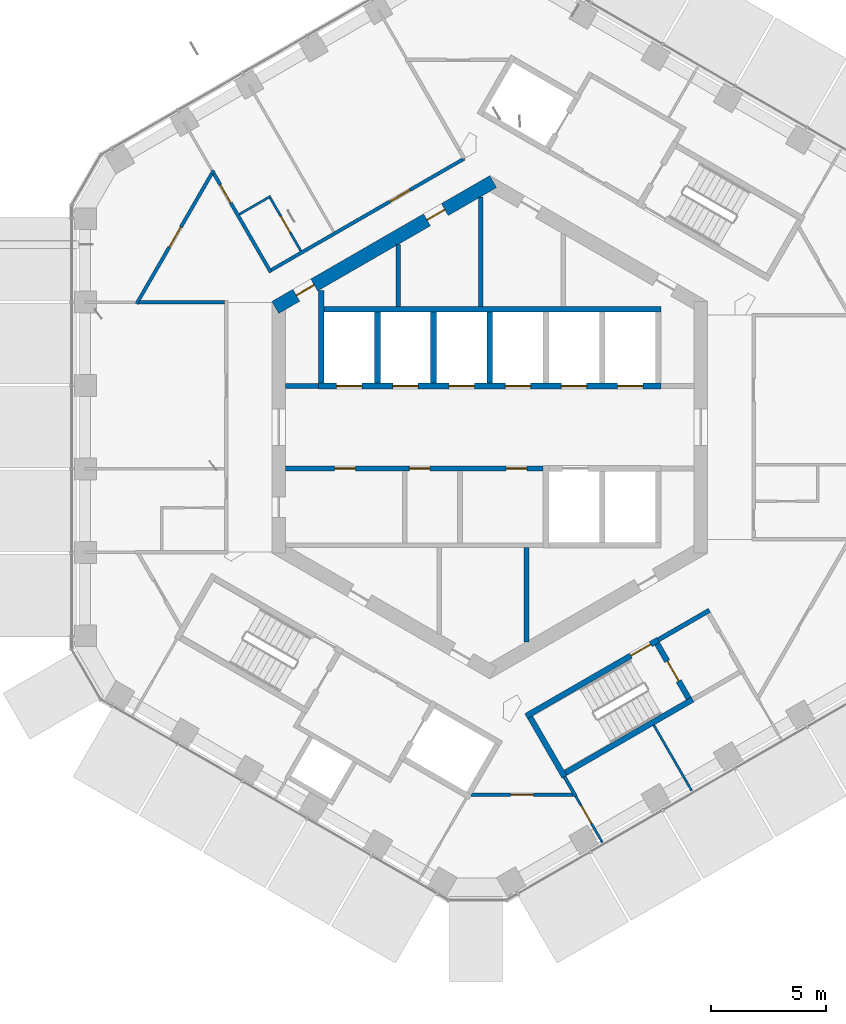
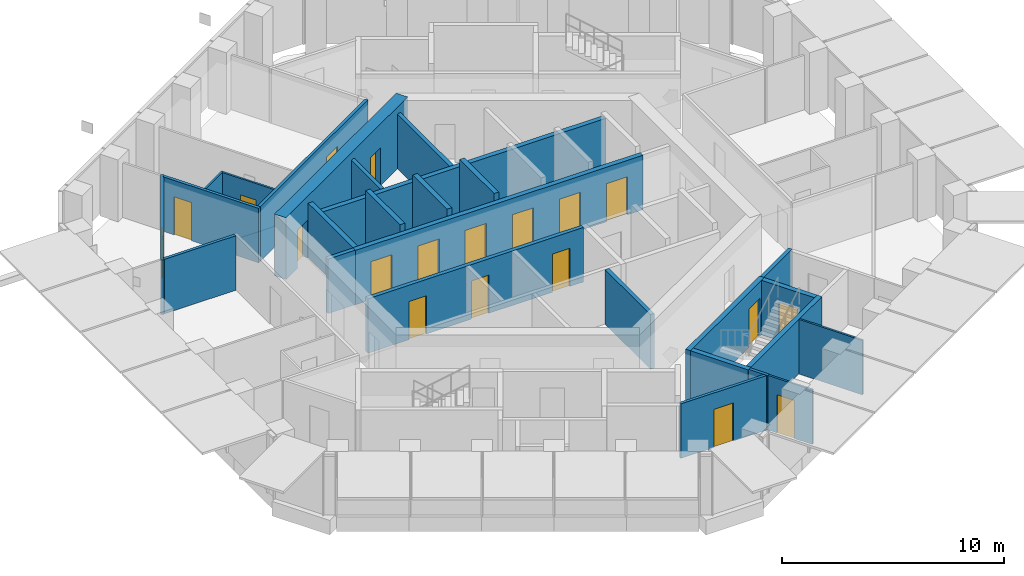
# One storey, part 13 of 21: 27 walls, 19 doors, 19 openings.
"""IFC4 building model written with IfcOpenShell, lengths in metres."""

from ifc_helpers import new_model, si_unit, direction, frame, frame_2d, origin, place, context, subcontext, project, spatial, rectangle, extrude, material, layer, layer_set, type_object, element, fill, save


model = new_model("IFC4")

# Units and contexts
model_context = context("Model", 3, precision=1e-05, world=origin(), true_north=direction((0.0, 1.0)))
body_context = subcontext(model_context, "Body", "Model", "MODEL_VIEW")
ifc_project = project(units=[si_unit("LENGTHUNIT", "METRE"), si_unit("AREAUNIT", "SQUARE_METRE"), si_unit("VOLUMEUNIT", "CUBIC_METRE"), si_unit("PLANEANGLEUNIT", "RADIAN"), si_unit("MASSUNIT", "GRAM", prefix="KILO")], contexts=[model_context])

# Site, building, storey
site_placement = place(None, origin())
site = spatial("IfcSite", under=ifc_project, at=site_placement, CompositionType="ELEMENT")
building_placement = place(site_placement, origin())
building = spatial("IfcBuilding", under=site, at=building_placement, Name="Ayvan Gate Tower", CompositionType="ELEMENT")
storey_placement = place(building_placement, frame((0.0, 0.0, 183.300048828125)))
storey = spatial("IfcBuildingStorey", under=building, at=storey_placement, Name="L49", CompositionType="ELEMENT", Elevation=183.300048828125)

# Wall, openings, doors
ifc_material_1 = material(Name="Concrete C60/75", Category="concrete")
ifc_layer_1 = layer(ifc_material_1, 0.60009765625)
ifc_layer_set_1 = layer_set([ifc_layer_1], Name="Concrete C60/75")
wall_type_1 = type_object("IfcWallType", Name="Core wall 600 C60/75", PredefinedType="SHEAR", material=ifc_layer_set_1)
wall_1_placement = place(storey_placement, frame((0.14990234375, 10.7099609375, 0.0), z_axis=(0.0, 0.0, 1.0), x_axis=(-0.866023993627, -0.500002442456, 0.0)))
wall_1 = element("IfcWall", 1, at=wall_1_placement, inside=storey, type_object=wall_type_1, Name="CORE-L49-2", PredefinedType="SHEAR", context=body_context, shape_type="SweptSolid", body=[
    extrude(rectangle(XDim=10.9697265625, YDim=0.60009765625, at=frame_2d((5.48486328125, 0.0))), origin(), (0.0, 0.0, 1.0), 3.39990234375),
])
opening_1_placement = place(wall_1_placement, frame((9.013427734375, 0.0, 0.0)))
opening_1 = element("IfcOpeningElement", 2, at=opening_1_placement, cuts=wall_1, Name="Opening L49-D42", PredefinedType="OPENING", context=body_context, shape_type="SweptSolid", body=[
    extrude(rectangle(XDim=0.89990234375, YDim=2.10009765625, at=frame_2d((0.449951171875, 1.050048828125))), frame((0.0, 0.31005859375, 0.0), z_axis=(0.0, -1.0, 0.0), x_axis=(1.0, 0.0, 0.0)), (0.0, 0.0, 1.0), 0.6201171875),
])
opening_2_placement = place(wall_1_placement, frame((2.437255859375, 0.0, 0.0)))
opening_2 = element("IfcOpeningElement", 3, at=opening_2_placement, cuts=wall_1, Name="Opening L49-D43", PredefinedType="OPENING", context=body_context, shape_type="SweptSolid", body=[
    extrude(rectangle(XDim=0.89990234375, YDim=2.10009765625, at=frame_2d((0.449951171875, 1.050048828125))), frame((0.0, 0.31005859375, 0.0), z_axis=(0.0, -1.0, 0.0), x_axis=(1.0, 0.0, 0.0)), (0.0, 0.0, 1.0), 0.6201171875),
])
ifc_material_2 = material(Name="Timber door leaf", Category="wood")
door_type_1 = type_object("IfcDoorType", Name="DT-900", OperationType="NOTDEFINED", PredefinedType="DOOR", material=ifc_material_2)
door_1_placement = place(opening_1_placement, origin())
door_1 = element("IfcDoor", 4, at=door_1_placement, inside=storey, type_object=door_type_1, Name="CD-L49-42", OperationType="SINGLE_SWING_LEFT", OverallHeight=2.10009765625, OverallWidth=0.89990234375, PredefinedType="DOOR", context=body_context, shape_type="SweptSolid", body=[
    extrude(rectangle(XDim=0.89990234375, YDim=2.10009765625, at=frame_2d((0.449951171875, 1.050048828125))), frame((0.0, 0.02490234375, 0.0), z_axis=(0.0, -1.0, 0.0), x_axis=(1.0, 0.0, 0.0)), (0.0, 0.0, 1.0), 0.050048828125),
])
fill(opening_1, door_1)
door_2_placement = place(opening_2_placement, origin())
door_2 = element("IfcDoor", 5, at=door_2_placement, inside=storey, type_object=door_type_1, Name="CD-L49-43", OperationType="SINGLE_SWING_RIGHT", OverallHeight=2.10009765625, OverallWidth=0.89990234375, PredefinedType="DOOR", context=body_context, shape_type="SweptSolid", body=[
    extrude(rectangle(XDim=0.89990234375, YDim=2.10009765625, at=frame_2d((0.449951171875, 1.050048828125))), frame((0.0, 0.02490234375, 0.0), z_axis=(0.0, -1.0, 0.0), x_axis=(1.0, 0.0, 0.0)), (0.0, 0.0, 1.0), 0.050048828125),
])
fill(opening_2, door_2)

# Wall, opening, door
ifc_material_3 = material(Name="Plasterboard on steel stud", Category="steel")
ifc_layer_2 = layer(ifc_material_3, 0.14990234375)
ifc_layer_set_2 = layer_set([ifc_layer_2], Name="Plasterboard on steel stud")
wall_type_2 = type_object("IfcWallType", Name="WT-CORR-150", PredefinedType="PARTITIONING", material=ifc_layer_set_2)
wall_2_placement = place(storey_placement, frame((-15.400390625, 5.380859375, 0.0), z_axis=(0.0, 0.0, 1.0), x_axis=(0.49997922879, 0.866037395716, 0.0)))
wall_2 = element("IfcWall", 6, at=wall_2_placement, inside=storey, type_object=wall_type_2, Name="IW-L49-002", PredefinedType="PARTITIONING", context=body_context, shape_type="SweptSolid", body=[
    extrude(rectangle(XDim=6.721435546875, YDim=0.14990234375, at=frame_2d((3.36083984375, 0.0))), origin(), (0.0, 0.0, 1.0), 3.0),
])
opening_3_placement = place(wall_2_placement, frame((2.860595703125, 0.0, 0.0)))
opening_3 = element("IfcOpeningElement", 7, at=opening_3_placement, cuts=wall_2, Name="Opening L49-D28", PredefinedType="OPENING", context=body_context, shape_type="SweptSolid", body=[
    extrude(rectangle(XDim=1.0, YDim=2.10009765625, at=frame_2d((0.5, 1.050048828125))), frame((0.0, 0.0849609375, 0.0), z_axis=(0.0, -1.0, 0.0), x_axis=(1.0, 0.0, 0.0)), (0.0, 0.0, 1.0), 0.169921875),
])
door_type_2 = type_object("IfcDoorType", Name="DT-1000", OperationType="NOTDEFINED", PredefinedType="DOOR", material=ifc_material_2)
door_3_placement = place(opening_3_placement, origin())
door_3 = element("IfcDoor", 8, at=door_3_placement, inside=storey, type_object=door_type_2, Name="ID-L49-028", OperationType="SINGLE_SWING_LEFT", OverallHeight=2.10009765625, OverallWidth=1.0, PredefinedType="DOOR", context=body_context, shape_type="SweptSolid", body=[
    extrude(rectangle(XDim=1.0, YDim=2.10009765625, at=frame_2d((0.5, 1.050048828125))), frame((0.0, 0.02490234375, 0.0), z_axis=(0.0, -1.0, 0.0), x_axis=(1.0, 0.0, 0.0)), (0.0, 0.0, 1.0), 0.050048828125),
])
fill(opening_3, door_3)

wall_3_placement = place(storey_placement, frame((-12.039794921875, 11.072021484375, 0.0), z_axis=(0.0, 0.0, 1.0), x_axis=(0.499985374448, -0.866033847686, 0.0)))
wall_3 = element("IfcWall", 9, at=wall_3_placement, inside=storey, type_object=wall_type_2, Name="IW-L49-010", PredefinedType="PARTITIONING", context=body_context, shape_type="SweptSolid", body=[
    extrude(rectangle(XDim=4.983642578125, YDim=0.14990234375, at=frame_2d((2.49169921875, 0.0))), origin(), (0.0, 0.0, 1.0), 3.0),
])
opening_4_placement = place(wall_3_placement, frame((0.589111328125, 0.0, 0.0)))
opening_4 = element("IfcOpeningElement", 10, at=opening_4_placement, cuts=wall_3, Name="Opening L49-D40", PredefinedType="OPENING", context=body_context, shape_type="SweptSolid", body=[
    extrude(rectangle(XDim=0.89990234375, YDim=2.10009765625, at=frame_2d((0.449951171875, 1.050048828125))), frame((0.0, 0.0849609375, 0.0), z_axis=(0.0, -1.0, 0.0), x_axis=(1.0, 0.0, 0.0)), (0.0, 0.0, 1.0), 0.169921875),
])
door_4_placement = place(opening_4_placement, origin())
door_4 = element("IfcDoor", 11, at=door_4_placement, inside=storey, type_object=door_type_1, Name="ID-L49-040", OperationType="SINGLE_SWING_LEFT", OverallHeight=2.10009765625, OverallWidth=0.89990234375, PredefinedType="DOOR", context=body_context, shape_type="SweptSolid", body=[
    extrude(rectangle(XDim=0.89990234375, YDim=2.10009765625, at=frame_2d((0.449951171875, 1.050048828125))), frame((0.0, 0.02490234375, 0.0), z_axis=(0.0, -1.0, 0.0), x_axis=(1.0, 0.0, 0.0)), (0.0, 0.0, 1.0), 0.050048828125),
])
fill(opening_4, door_4)

# Wall
wall_4_placement = place(storey_placement, frame((-11.574951171875, 5.44580078125, 0.0), z_axis=(0.0, 0.0, 1.0), x_axis=(-1.0, 0.0, 0.0)))
element("IfcWall", 12, at=wall_4_placement, inside=storey, type_object=wall_type_2, Name="IW-L49-014", PredefinedType="PARTITIONING", context=body_context, shape_type="SweptSolid", body=[
    extrude(rectangle(XDim=3.712890625, YDim=0.14990234375, at=frame_2d((1.8564453125, 0.0))), origin(), (0.0, 0.0, 1.0), 3.0),
])

# Wall, opening, door
wall_5_placement = place(storey_placement, frame((-9.5205078125, 6.858642578125, 0.0), z_axis=(0.0, 0.0, 1.0), x_axis=(0.866022649559, 0.500004770428, 0.0)))
wall_5 = element("IfcWall", 13, at=wall_5_placement, inside=storey, type_object=wall_type_2, Name="IW-L49-016", PredefinedType="PARTITIONING", context=body_context, shape_type="SweptSolid", body=[
    extrude(rectangle(XDim=9.70654296875, YDim=0.14990234375, at=frame_2d((4.853271484375, 0.0))), origin(), (0.0, 0.0, 1.0), 3.0),
])
opening_5_placement = place(wall_5_placement, frame((5.9609375, 0.0, 0.0)))
opening_5 = element("IfcOpeningElement", 14, at=opening_5_placement, cuts=wall_5, Name="Opening L49-D39", PredefinedType="OPENING", context=body_context, shape_type="SweptSolid", body=[
    extrude(rectangle(XDim=1.0, YDim=2.10009765625, at=frame_2d((0.5, 1.050048828125))), frame((0.0, 0.0849609375, 0.0), z_axis=(0.0, -1.0, 0.0), x_axis=(1.0, 0.0, 0.0)), (0.0, 0.0, 1.0), 0.169921875),
])
door_5_placement = place(opening_5_placement, origin())
door_5 = element("IfcDoor", 15, at=door_5_placement, inside=storey, type_object=door_type_2, Name="ID-L49-039", OperationType="SINGLE_SWING_RIGHT", OverallHeight=2.10009765625, OverallWidth=1.0, PredefinedType="DOOR", context=body_context, shape_type="SweptSolid", body=[
    extrude(rectangle(XDim=1.0, YDim=2.10009765625, at=frame_2d((0.5, 1.050048828125))), frame((0.0, 0.02490234375, 0.0), z_axis=(0.0, -1.0, 0.0), x_axis=(1.0, 0.0, 0.0)), (0.0, 0.0, 1.0), 0.050048828125),
])
fill(opening_5, door_5)

# Wall
wall_6_placement = place(storey_placement, frame((3.255615234375, -15.23876953125, 0.0), z_axis=(0.0, 0.0, 1.0), x_axis=(0.499815364442, -0.866131976934, 0.0)))
element("IfcWall", 16, at=wall_6_placement, inside=storey, type_object=wall_type_2, Name="IW-L49-060", PredefinedType="PARTITIONING", context=body_context, shape_type="SweptSolid", body=[
    extrude(rectangle(XDim=0.985595703125, YDim=0.14990234375, at=frame_2d((0.49267578125, 0.0))), origin(), (0.0, 0.0, 1.0), 3.0),
])

# Wall, opening, door
wall_7_placement = place(storey_placement, frame((3.635986328125, -16.027587890625, 0.0), z_axis=(0.0, 0.0, 1.0), x_axis=(-1.0, 0.0, 0.0)))
wall_7 = element("IfcWall", 17, at=wall_7_placement, inside=storey, type_object=wall_type_2, Name="IW-L49-063", PredefinedType="PARTITIONING", context=body_context, shape_type="SweptSolid", body=[
    extrude(rectangle(XDim=4.45068359375, YDim=0.14990234375, at=frame_2d((2.225341796875, 0.0))), origin(), (0.0, 0.0, 1.0), 3.0),
])
opening_6_placement = place(wall_7_placement, frame((1.725341796875, 0.0, 0.0)))
opening_6 = element("IfcOpeningElement", 18, at=opening_6_placement, cuts=wall_7, Name="Opening L49-D34", PredefinedType="OPENING", context=body_context, shape_type="SweptSolid", body=[
    extrude(rectangle(XDim=1.0, YDim=2.10009765625, at=frame_2d((0.5, 1.050048828125))), frame((0.0, 0.0849609375, 0.0), z_axis=(0.0, -1.0, 0.0), x_axis=(1.0, 0.0, 0.0)), (0.0, 0.0, 1.0), 0.169921875),
])
door_6_placement = place(opening_6_placement, origin())
door_6 = element("IfcDoor", 19, at=door_6_placement, inside=storey, type_object=door_type_2, Name="ID-L49-034", OperationType="SINGLE_SWING_LEFT", OverallHeight=2.10009765625, OverallWidth=1.0, PredefinedType="DOOR", context=body_context, shape_type="SweptSolid", body=[
    extrude(rectangle(XDim=1.0, YDim=2.10009765625, at=frame_2d((0.5, 1.050048828125))), frame((0.0, 0.02490234375, 0.0), z_axis=(0.0, -1.0, 0.0), x_axis=(1.0, 0.0, 0.0)), (0.0, 0.0, 1.0), 0.050048828125),
])
fill(opening_6, door_6)

# Wall
ifc_layer_3 = layer(ifc_material_3, 0.10009765625)
ifc_layer_set_3 = layer_set([ifc_layer_3], Name="Plasterboard on steel stud")
wall_type_3 = type_object("IfcWallType", Name="WT-PART-100", PredefinedType="PARTITIONING", material=ifc_layer_set_3)
wall_8_placement = place(storey_placement, frame((-9.556396484375, 10.071044921875, 0.0), z_axis=(0.0, 0.0, 1.0), x_axis=(-0.866002311072, -0.500039995618, 0.0)))
element("IfcWall", 20, at=wall_8_placement, inside=storey, type_object=wall_type_3, Name="IW-L49-015", PredefinedType="PARTITIONING", context=body_context, shape_type="SweptSolid", body=[
    extrude(rectangle(XDim=1.574951171875, YDim=0.10009765625, at=frame_2d((0.78759765625, 0.0))), origin(), (0.0, 0.0, 1.0), 3.0),
])

# Wall, opening, door
wall_9_placement = place(storey_placement, frame((-8.2373046875, 7.68603515625, 0.0), z_axis=(0.0, 0.0, 1.0), x_axis=(-0.499967368674, 0.86604424267, 0.0)))
wall_9 = element("IfcWall", 21, at=wall_9_placement, inside=storey, type_object=wall_type_3, Name="IW-L49-021", PredefinedType="PARTITIONING", context=body_context, shape_type="SweptSolid", body=[
    extrude(rectangle(XDim=2.675048828125, YDim=0.10009765625, at=frame_2d((1.33740234375, 0.0))), origin(), (0.0, 0.0, 1.0), 3.0),
])
opening_7_placement = place(wall_9_placement, frame((0.9375, 0.0, 0.0)))
opening_7 = element("IfcOpeningElement", 22, at=opening_7_placement, cuts=wall_9, Name="Opening L49-D41", PredefinedType="OPENING", context=body_context, shape_type="SweptSolid", body=[
    extrude(rectangle(XDim=0.800048828125, YDim=2.10009765625, at=frame_2d((0.39990234375, 1.050048828125))), frame((0.0, 0.06005859375, 0.0), z_axis=(0.0, -1.0, 0.0), x_axis=(1.0, 0.0, 0.0)), (0.0, 0.0, 1.0), 0.1201171875),
])
door_type_3 = type_object("IfcDoorType", Name="DT-800", OperationType="NOTDEFINED", PredefinedType="DOOR", material=ifc_material_2)
door_7_placement = place(opening_7_placement, origin())
door_7 = element("IfcDoor", 23, at=door_7_placement, inside=storey, type_object=door_type_3, Name="ID-L49-041", OperationType="SINGLE_SWING_RIGHT", OverallHeight=2.10009765625, OverallWidth=0.800048828125, PredefinedType="DOOR", context=body_context, shape_type="SweptSolid", body=[
    extrude(rectangle(XDim=0.800048828125, YDim=2.10009765625, at=frame_2d((0.39990234375, 1.050048828125))), frame((0.0, 0.02490234375, 0.0), z_axis=(0.0, -1.0, 0.0), x_axis=(1.0, 0.0, 0.0)), (0.0, 0.0, 1.0), 0.050048828125),
])
fill(opening_7, door_7)

wall_10_placement = place(storey_placement, frame((3.748291015625, -16.092529296875, 0.0), z_axis=(0.0, 0.0, 1.0), x_axis=(0.500078837292, -0.865979882268, 0.0)))
wall_10 = element("IfcWall", 24, at=wall_10_placement, inside=storey, type_object=wall_type_3, Name="IW-L49-064", PredefinedType="PARTITIONING", context=body_context, shape_type="SweptSolid", body=[
    extrude(rectangle(XDim=2.312744140625, YDim=0.10009765625, at=frame_2d((1.15625, 0.0))), origin(), (0.0, 0.0, 1.0), 3.0),
])
opening_8_placement = place(wall_10_placement, frame((0.470947265625, 0.0, 0.0)))
opening_8 = element("IfcOpeningElement", 25, at=opening_8_placement, cuts=wall_10, Name="Opening L49-D36", PredefinedType="OPENING", context=body_context, shape_type="SweptSolid", body=[
    extrude(rectangle(XDim=0.89990234375, YDim=2.10009765625, at=frame_2d((0.449951171875, 1.050048828125))), frame((0.0, 0.06005859375, 0.0), z_axis=(0.0, -1.0, 0.0), x_axis=(1.0, 0.0, 0.0)), (0.0, 0.0, 1.0), 0.1201171875),
])
door_8_placement = place(opening_8_placement, origin())
door_8 = element("IfcDoor", 26, at=door_8_placement, inside=storey, type_object=door_type_1, Name="ID-L49-036", OperationType="SINGLE_SWING_LEFT", OverallHeight=2.10009765625, OverallWidth=0.89990234375, PredefinedType="DOOR", context=body_context, shape_type="SweptSolid", body=[
    extrude(rectangle(XDim=0.89990234375, YDim=2.10009765625, at=frame_2d((0.449951171875, 1.050048828125))), frame((0.0, 0.02490234375, 0.0), z_axis=(0.0, -1.0, 0.0), x_axis=(1.0, 0.0, 0.0)), (0.0, 0.0, 1.0), 0.050048828125),
])
fill(opening_8, door_8)

# Walls
wall_11_placement = place(storey_placement, frame((7.152587890625, -12.98876953125, 0.0), z_axis=(0.0, 0.0, 1.0), x_axis=(0.500055614084, -0.865993292597, 0.0)))
element("IfcWall", 27, at=wall_11_placement, inside=storey, type_object=wall_type_3, Name="IW-L49-073", PredefinedType="PARTITIONING", context=body_context, shape_type="SweptSolid", body=[
    extrude(rectangle(XDim=3.29833984375, YDim=0.10009765625, at=frame_2d((1.649169921875, 0.0))), origin(), (0.0, 0.0, 1.0), 3.0),
])
ifc_layer_4 = layer(ifc_material_3, 0.199951171875)
ifc_layer_set_4 = layer_set([ifc_layer_4], Name="Plasterboard on steel stud")
wall_type_4 = type_object("IfcWallType", Name="WT-RATED-200", PredefinedType="PARTITIONING", material=ifc_layer_set_4)
wall_12_placement = place(storey_placement, frame((-8.89990234375, 1.800048828125, 0.0), z_axis=(0.0, 0.0, 1.0), x_axis=(1.0, 0.0, 0.0)))
element("IfcWall", 28, at=wall_12_placement, inside=storey, type_object=wall_type_4, Name="IW-L49-017", PredefinedType="PARTITIONING", context=body_context, shape_type="SweptSolid", body=[
    extrude(rectangle(XDim=1.425048828125, YDim=0.199951171875, at=frame_2d((0.71240234375, 0.0))), origin(), (0.0, 0.0, 1.0), 3.0),
])
wall_13_placement = place(storey_placement, frame((-4.0, 7.96728515625, 0.0), z_axis=(0.0, 0.0, 1.0), x_axis=(0.0, -1.0, 0.0)))
element("IfcWall", 29, at=wall_13_placement, inside=storey, type_object=wall_type_4, Name="IW-L49-034", PredefinedType="PARTITIONING", context=body_context, shape_type="SweptSolid", body=[
    extrude(rectangle(XDim=2.6923828125, YDim=0.199951171875, at=frame_2d((1.34619140625, 0.0))), origin(), (0.0, 0.0, 1.0), 3.0),
])

# Wall, openings, doors
wall_14_placement = place(storey_placement, frame((-8.89990234375, -1.800048828125, 0.0), z_axis=(0.0, 0.0, 1.0), x_axis=(1.0, 0.0, 0.0)))
wall_14 = element("IfcWall", 30, at=wall_14_placement, inside=storey, type_object=wall_type_4, Name="IW-L49-037", PredefinedType="PARTITIONING", context=body_context, shape_type="SweptSolid", body=[
    extrude(rectangle(XDim=11.22509765625, YDim=0.199951171875, at=frame_2d((5.612548828125, 0.0))), origin(), (0.0, 0.0, 1.0), 3.0),
])
opening_9_placement = place(wall_14_placement, frame((2.135009765625, 0.0, 0.0)))
opening_9 = element("IfcOpeningElement", 31, at=opening_9_placement, cuts=wall_14, Name="Opening L49-D08", PredefinedType="OPENING", context=body_context, shape_type="SweptSolid", body=[
    extrude(rectangle(XDim=0.89990234375, YDim=2.10009765625, at=frame_2d((0.449951171875, 1.050048828125))), frame((0.0, 0.10986328125, 0.0), z_axis=(0.0, -1.0, 0.0), x_axis=(1.0, 0.0, 0.0)), (0.0, 0.0, 1.0), 0.219970703125),
])
opening_10_placement = place(wall_14_placement, frame((5.389892578125, 0.0, 0.0)))
opening_10 = element("IfcOpeningElement", 32, at=opening_10_placement, cuts=wall_14, Name="Opening L49-D09", PredefinedType="OPENING", context=body_context, shape_type="SweptSolid", body=[
    extrude(rectangle(XDim=0.89990234375, YDim=2.10009765625, at=frame_2d((0.449951171875, 1.050048828125))), frame((0.0, 0.10986328125, 0.0), z_axis=(0.0, -1.0, 0.0), x_axis=(1.0, 0.0, 0.0)), (0.0, 0.0, 1.0), 0.219970703125),
])
opening_11_placement = place(wall_14_placement, frame((9.612548828125, 0.0, 0.0)))
opening_11 = element("IfcOpeningElement", 33, at=opening_11_placement, cuts=wall_14, Name="Opening L49-D10", PredefinedType="OPENING", context=body_context, shape_type="SweptSolid", body=[
    extrude(rectangle(XDim=0.89990234375, YDim=2.10009765625, at=frame_2d((0.449951171875, 1.050048828125))), frame((0.0, 0.10986328125, 0.0), z_axis=(0.0, -1.0, 0.0), x_axis=(1.0, 0.0, 0.0)), (0.0, 0.0, 1.0), 0.219970703125),
])
door_9_placement = place(opening_9_placement, origin())
door_9 = element("IfcDoor", 34, at=door_9_placement, inside=storey, type_object=door_type_1, Name="ID-L49-008", OperationType="SINGLE_SWING_LEFT", OverallHeight=2.10009765625, OverallWidth=0.89990234375, PredefinedType="DOOR", context=body_context, shape_type="SweptSolid", body=[
    extrude(rectangle(XDim=0.89990234375, YDim=2.10009765625, at=frame_2d((0.449951171875, 1.050048828125))), frame((0.0, 0.02490234375, 0.0), z_axis=(0.0, -1.0, 0.0), x_axis=(1.0, 0.0, 0.0)), (0.0, 0.0, 1.0), 0.050048828125),
])
fill(opening_9, door_9)
door_10_placement = place(opening_10_placement, origin())
door_10 = element("IfcDoor", 35, at=door_10_placement, inside=storey, type_object=door_type_1, Name="ID-L49-009", OperationType="SINGLE_SWING_RIGHT", OverallHeight=2.10009765625, OverallWidth=0.89990234375, PredefinedType="DOOR", context=body_context, shape_type="SweptSolid", body=[
    extrude(rectangle(XDim=0.89990234375, YDim=2.10009765625, at=frame_2d((0.449951171875, 1.050048828125))), frame((0.0, 0.02490234375, 0.0), z_axis=(0.0, -1.0, 0.0), x_axis=(1.0, 0.0, 0.0)), (0.0, 0.0, 1.0), 0.050048828125),
])
fill(opening_10, door_10)
door_11_placement = place(opening_11_placement, origin())
door_11 = element("IfcDoor", 36, at=door_11_placement, inside=storey, type_object=door_type_1, Name="ID-L49-010", OperationType="SINGLE_SWING_LEFT", OverallHeight=2.10009765625, OverallWidth=0.89990234375, PredefinedType="DOOR", context=body_context, shape_type="SweptSolid", body=[
    extrude(rectangle(XDim=0.89990234375, YDim=2.10009765625, at=frame_2d((0.449951171875, 1.050048828125))), frame((0.0, 0.02490234375, 0.0), z_axis=(0.0, -1.0, 0.0), x_axis=(1.0, 0.0, 0.0)), (0.0, 0.0, 1.0), 0.050048828125),
])
fill(opening_11, door_11)

# Walls
wall_15_placement = place(storey_placement, frame((-0.39990234375, 10.0458984375, 0.0), z_axis=(0.0, 0.0, 1.0), x_axis=(0.0, -1.0, 0.0)))
element("IfcWall", 37, at=wall_15_placement, inside=storey, type_object=wall_type_4, Name="IW-L49-050", PredefinedType="PARTITIONING", context=body_context, shape_type="SweptSolid", body=[
    extrude(rectangle(XDim=4.77099609375, YDim=0.199951171875, at=frame_2d((2.385498046875, 0.0))), origin(), (0.0, 0.0, 1.0), 3.0),
])
wall_16_placement = place(storey_placement, frame((1.60009765625, -5.25, 0.0), z_axis=(0.0, 0.0, 1.0), x_axis=(0.0, -1.0, 0.0)))
element("IfcWall", 38, at=wall_16_placement, inside=storey, type_object=wall_type_4, Name="IW-L49-054", PredefinedType="PARTITIONING", context=body_context, shape_type="SweptSolid", body=[
    extrude(rectangle(XDim=4.10302734375, YDim=0.199951171875, at=frame_2d((2.051513671875, 0.0))), origin(), (0.0, 0.0, 1.0), 3.0),
])
wall_17_placement = place(storey_placement, frame((7.343994140625, -9.27001953125, 0.0), z_axis=(0.0, 0.0, 1.0), x_axis=(0.866005588531, 0.500034319456, 0.0)))
element("IfcWall", 39, at=wall_17_placement, inside=storey, type_object=wall_type_4, Name="IW-L49-076", PredefinedType="PARTITIONING", context=body_context, shape_type="SweptSolid", body=[
    extrude(rectangle(XDim=2.574951171875, YDim=0.199951171875, at=frame_2d((1.28759765625, 0.0))), origin(), (0.0, 0.0, 1.0), 3.0),
])

# Wall, openings, doors
ifc_material_4 = material(Name="Concrete C50/60", Category="concrete")
ifc_layer_5 = layer(ifc_material_4, 0.25)
ifc_layer_set_5 = layer_set([ifc_layer_5], Name="Concrete C50/60")
wall_type_5 = type_object("IfcWallType", Name="WT-RC-250", PredefinedType="SHEAR", material=ifc_layer_set_5)
wall_18_placement = place(storey_placement, frame((-7.47509765625, 1.800048828125, 0.0), z_axis=(0.0, 0.0, 1.0), x_axis=(1.0, 0.0, 0.0)))
wall_18 = element("IfcWall", 40, at=wall_18_placement, inside=storey, type_object=wall_type_5, Name="IW-L49-025", PredefinedType="SHEAR", context=body_context, shape_type="SweptSolid", body=[
    extrude(rectangle(XDim=14.9501953125, YDim=0.25, at=frame_2d((7.47509765625, 0.0))), origin(), (0.0, 0.0, 1.0), 3.0),
])
opening_12_placement = place(wall_18_placement, frame((0.800048828125, 0.0, 0.0)))
opening_12 = element("IfcOpeningElement", 41, at=opening_12_placement, cuts=wall_18, Name="Opening L49-LD-HR1", PredefinedType="OPENING", context=body_context, shape_type="SweptSolid", body=[
    extrude(rectangle(XDim=1.10009765625, YDim=2.10009765625, at=frame_2d((0.550048828125, 1.050048828125))), frame((0.0, 0.135009765625, 0.0), z_axis=(0.0, -1.0, 0.0), x_axis=(1.0, 0.0, 0.0)), (0.0, 0.0, 1.0), 0.27001953125),
])
opening_13_placement = place(wall_18_placement, frame((3.25, 0.0, 0.0)))
opening_13 = element("IfcOpeningElement", 42, at=opening_13_placement, cuts=wall_18, Name="Opening L49-LD-HR2", PredefinedType="OPENING", context=body_context, shape_type="SweptSolid", body=[
    extrude(rectangle(XDim=1.10009765625, YDim=2.10009765625, at=frame_2d((0.550048828125, 1.050048828125))), frame((0.0, 0.135009765625, 0.0), z_axis=(0.0, -1.0, 0.0), x_axis=(1.0, 0.0, 0.0)), (0.0, 0.0, 1.0), 0.27001953125),
])
opening_14_placement = place(wall_18_placement, frame((5.7001953125, 0.0, 0.0)))
opening_14 = element("IfcOpeningElement", 43, at=opening_14_placement, cuts=wall_18, Name="Opening L49-LD-HR3", PredefinedType="OPENING", context=body_context, shape_type="SweptSolid", body=[
    extrude(rectangle(XDim=1.10009765625, YDim=2.10009765625, at=frame_2d((0.550048828125, 1.050048828125))), frame((0.0, 0.135009765625, 0.0), z_axis=(0.0, -1.0, 0.0), x_axis=(1.0, 0.0, 0.0)), (0.0, 0.0, 1.0), 0.27001953125),
])
opening_15_placement = place(wall_18_placement, frame((8.150146484375, 0.0, 0.0)))
opening_15 = element("IfcOpeningElement", 44, at=opening_15_placement, cuts=wall_18, Name="Opening L49-LD-HR4", PredefinedType="OPENING", context=body_context, shape_type="SweptSolid", body=[
    extrude(rectangle(XDim=1.10009765625, YDim=2.10009765625, at=frame_2d((0.550048828125, 1.050048828125))), frame((0.0, 0.135009765625, 0.0), z_axis=(0.0, -1.0, 0.0), x_axis=(1.0, 0.0, 0.0)), (0.0, 0.0, 1.0), 0.27001953125),
])
opening_16_placement = place(wall_18_placement, frame((10.60009765625, 0.0, 0.0)))
opening_16 = element("IfcOpeningElement", 45, at=opening_16_placement, cuts=wall_18, Name="Opening L49-LD-HR5", PredefinedType="OPENING", context=body_context, shape_type="SweptSolid", body=[
    extrude(rectangle(XDim=1.10009765625, YDim=2.10009765625, at=frame_2d((0.550048828125, 1.050048828125))), frame((0.0, 0.135009765625, 0.0), z_axis=(0.0, -1.0, 0.0), x_axis=(1.0, 0.0, 0.0)), (0.0, 0.0, 1.0), 0.27001953125),
])
opening_17_placement = place(wall_18_placement, frame((13.050048828125, 0.0, 0.0)))
opening_17 = element("IfcOpeningElement", 46, at=opening_17_placement, cuts=wall_18, Name="Opening L49-LD-HR6", PredefinedType="OPENING", context=body_context, shape_type="SweptSolid", body=[
    extrude(rectangle(XDim=1.10009765625, YDim=2.10009765625, at=frame_2d((0.550048828125, 1.050048828125))), frame((0.0, 0.135009765625, 0.0), z_axis=(0.0, -1.0, 0.0), x_axis=(1.0, 0.0, 0.0)), (0.0, 0.0, 1.0), 0.27001953125),
])
ifc_material_5 = material(Name="Stainless steel landing door", Category="steel")
door_type_4 = type_object("IfcDoorType", Name="DT-LANDING-1100", OperationType="SLIDING_TO_LEFT", PredefinedType="DOOR", material=ifc_material_5)
door_12_placement = place(opening_12_placement, origin())
door_12 = element("IfcDoor", 47, at=door_12_placement, inside=storey, type_object=door_type_4, Name="ID-L49-001", OperationType="SLIDING_TO_LEFT", OverallHeight=2.10009765625, OverallWidth=1.10009765625, PredefinedType="DOOR", context=body_context, shape_type="SweptSolid", body=[
    extrude(rectangle(XDim=1.10009765625, YDim=2.10009765625, at=frame_2d((0.550048828125, 1.050048828125))), frame((0.0, 0.02490234375, 0.0), z_axis=(0.0, -1.0, 0.0), x_axis=(1.0, 0.0, 0.0)), (0.0, 0.0, 1.0), 0.050048828125),
])
fill(opening_12, door_12)
door_13_placement = place(opening_13_placement, origin())
door_13 = element("IfcDoor", 48, at=door_13_placement, inside=storey, type_object=door_type_4, Name="ID-L49-002", OperationType="SLIDING_TO_LEFT", OverallHeight=2.10009765625, OverallWidth=1.10009765625, PredefinedType="DOOR", context=body_context, shape_type="SweptSolid", body=[
    extrude(rectangle(XDim=1.10009765625, YDim=2.10009765625, at=frame_2d((0.550048828125, 1.050048828125))), frame((0.0, 0.02490234375, 0.0), z_axis=(0.0, -1.0, 0.0), x_axis=(1.0, 0.0, 0.0)), (0.0, 0.0, 1.0), 0.050048828125),
])
fill(opening_13, door_13)
door_14_placement = place(opening_14_placement, origin())
door_14 = element("IfcDoor", 49, at=door_14_placement, inside=storey, type_object=door_type_4, Name="ID-L49-003", OperationType="SLIDING_TO_LEFT", OverallHeight=2.10009765625, OverallWidth=1.10009765625, PredefinedType="DOOR", context=body_context, shape_type="SweptSolid", body=[
    extrude(rectangle(XDim=1.10009765625, YDim=2.10009765625, at=frame_2d((0.550048828125, 1.050048828125))), frame((0.0, 0.02490234375, 0.0), z_axis=(0.0, -1.0, 0.0), x_axis=(1.0, 0.0, 0.0)), (0.0, 0.0, 1.0), 0.050048828125),
])
fill(opening_14, door_14)
door_15_placement = place(opening_15_placement, origin())
door_15 = element("IfcDoor", 50, at=door_15_placement, inside=storey, type_object=door_type_4, Name="ID-L49-004", OperationType="SLIDING_TO_LEFT", OverallHeight=2.10009765625, OverallWidth=1.10009765625, PredefinedType="DOOR", context=body_context, shape_type="SweptSolid", body=[
    extrude(rectangle(XDim=1.10009765625, YDim=2.10009765625, at=frame_2d((0.550048828125, 1.050048828125))), frame((0.0, 0.02490234375, 0.0), z_axis=(0.0, -1.0, 0.0), x_axis=(1.0, 0.0, 0.0)), (0.0, 0.0, 1.0), 0.050048828125),
])
fill(opening_15, door_15)
door_16_placement = place(opening_16_placement, origin())
door_16 = element("IfcDoor", 51, at=door_16_placement, inside=storey, type_object=door_type_4, Name="ID-L49-005", OperationType="SLIDING_TO_LEFT", OverallHeight=2.10009765625, OverallWidth=1.10009765625, PredefinedType="DOOR", context=body_context, shape_type="SweptSolid", body=[
    extrude(rectangle(XDim=1.10009765625, YDim=2.10009765625, at=frame_2d((0.550048828125, 1.050048828125))), frame((0.0, 0.02490234375, 0.0), z_axis=(0.0, -1.0, 0.0), x_axis=(1.0, 0.0, 0.0)), (0.0, 0.0, 1.0), 0.050048828125),
])
fill(opening_16, door_16)
door_17_placement = place(opening_17_placement, origin())
door_17 = element("IfcDoor", 52, at=door_17_placement, inside=storey, type_object=door_type_4, Name="ID-L49-006", OperationType="SLIDING_TO_LEFT", OverallHeight=2.10009765625, OverallWidth=1.10009765625, PredefinedType="DOOR", context=body_context, shape_type="SweptSolid", body=[
    extrude(rectangle(XDim=1.10009765625, YDim=2.10009765625, at=frame_2d((0.550048828125, 1.050048828125))), frame((0.0, 0.02490234375, 0.0), z_axis=(0.0, -1.0, 0.0), x_axis=(1.0, 0.0, 0.0)), (0.0, 0.0, 1.0), 0.050048828125),
])
fill(opening_17, door_17)

# Walls
wall_19_placement = place(storey_placement, frame((-7.35009765625, 1.925048828125, 0.0), z_axis=(0.0, 0.0, 1.0), x_axis=(0.0, 1.0, 0.0)))
element("IfcWall", 53, at=wall_19_placement, inside=storey, type_object=wall_type_5, Name="IW-L49-026", PredefinedType="SHEAR", context=body_context, shape_type="SweptSolid", body=[
    extrude(rectangle(XDim=4.0361328125, YDim=0.25, at=frame_2d((2.01806640625, 0.0))), origin(), (0.0, 0.0, 1.0), 3.0),
])
wall_20_placement = place(storey_placement, frame((-7.22509765625, 5.14990234375, 0.0), z_axis=(0.0, 0.0, 1.0), x_axis=(1.0, 0.0, 0.0)))
element("IfcWall", 54, at=wall_20_placement, inside=storey, type_object=wall_type_5, Name="IW-L49-027", PredefinedType="SHEAR", context=body_context, shape_type="SweptSolid", body=[
    extrude(rectangle(XDim=14.7001953125, YDim=0.25, at=frame_2d((7.35009765625, 0.0))), origin(), (0.0, 0.0, 1.0), 3.0),
])
for number, where, z_axis, x_axis, name in (
    (55, (-4.89990234375, 5.02490234375, 0.0), (0.0, 0.0, 1.0), (0.0, -1.0, 0.0), "IW-L49-033"),
    (56, (-2.449951171875, 5.02490234375, 0.0), (0.0, 0.0, 1.0), (0.0, -1.0, 0.0), "IW-L49-043"),
    (57, (0.0, 5.02490234375, 0.0), (0.0, 0.0, 1.0), (0.0, -1.0, 0.0), "IW-L49-052"),
):
    element("IfcWall", number, at=place(storey_placement, frame(where, z_axis=z_axis, x_axis=x_axis)), inside=storey, type_object=wall_type_5, Name=name, PredefinedType="SHEAR", context=body_context, shape_type="SweptSolid", body=[
        extrude(rectangle(XDim=3.099853515625, YDim=0.25, at=frame_2d((1.5498046875, 0.0))), origin(), (0.0, 0.0, 1.0), 3.39990234375),
    ])

# Wall, opening, door
wall_21_placement = place(storey_placement, frame((1.584716796875, -12.594970703125, 0.0), z_axis=(0.0, 0.0, 1.0), x_axis=(0.866036417653, 0.499980922934, 0.0)))
wall_21 = element("IfcWall", 58, at=wall_21_placement, inside=storey, type_object=wall_type_5, Name="IW-L49-055", PredefinedType="SHEAR", context=body_context, shape_type="SweptSolid", body=[
    extrude(rectangle(XDim=6.650146484375, YDim=0.25, at=frame_2d((3.3251953125, 0.0))), origin(), (0.0, 0.0, 1.0), 3.0),
])
opening_18_placement = place(wall_21_placement, frame((5.27490234375, 0.0, 0.0)))
opening_18 = element("IfcOpeningElement", 59, at=opening_18_placement, cuts=wall_21, Name="Opening L49-D19", PredefinedType="OPENING", context=body_context, shape_type="SweptSolid", body=[
    extrude(rectangle(XDim=1.0, YDim=2.10009765625, at=frame_2d((0.5, 1.050048828125))), frame((0.0, 0.135009765625, 0.0), z_axis=(0.0, -1.0, 0.0), x_axis=(1.0, 0.0, 0.0)), (0.0, 0.0, 1.0), 0.27001953125),
])
door_18_placement = place(opening_18_placement, origin())
door_18 = element("IfcDoor", 60, at=door_18_placement, inside=storey, type_object=door_type_2, Name="ID-L49-019", OperationType="SINGLE_SWING_RIGHT", OverallHeight=2.10009765625, OverallWidth=1.0, PredefinedType="DOOR", context=body_context, shape_type="SweptSolid", body=[
    extrude(rectangle(XDim=1.0, YDim=2.10009765625, at=frame_2d((0.5, 1.050048828125))), frame((0.0, 0.02490234375, 0.0), z_axis=(0.0, -1.0, 0.0), x_axis=(1.0, 0.0, 0.0)), (0.0, 0.0, 1.0), 0.050048828125),
])
fill(opening_18, door_18)

# Walls
wall_22_placement = place(storey_placement, frame((3.255615234375, -15.23876953125, 0.0), z_axis=(0.0, 0.0, 1.0), x_axis=(-0.50002537861, 0.866010750942, 0.0)))
element("IfcWall", 61, at=wall_22_placement, inside=storey, type_object=wall_type_5, Name="IW-L49-061", PredefinedType="SHEAR", context=body_context, shape_type="SweptSolid", body=[
    extrude(rectangle(XDim=2.999755859375, YDim=0.25, at=frame_2d((1.5, 0.0))), origin(), (0.0, 0.0, 1.0), 3.0),
])
wall_23_placement = place(storey_placement, frame((3.30126953125, -15.068115234375, 0.0), z_axis=(0.0, 0.0, 1.0), x_axis=(0.866035036182, 0.499983315828, 0.0)))
element("IfcWall", 62, at=wall_23_placement, inside=storey, type_object=wall_type_5, Name="IW-L49-074", PredefinedType="SHEAR", context=body_context, shape_type="SweptSolid", body=[
    extrude(rectangle(XDim=6.400146484375, YDim=0.25, at=frame_2d((3.2001953125, 0.0))), origin(), (0.0, 0.0, 1.0), 3.0),
])

# Wall, opening, door
wall_24_placement = place(storey_placement, frame((7.298095703125, -9.44091796875, 0.0), z_axis=(0.0, 0.0, 1.0), x_axis=(0.500034990121, -0.866005201286, 0.0)))
wall_24 = element("IfcWall", 63, at=wall_24_placement, inside=storey, type_object=wall_type_5, Name="IW-L49-075", PredefinedType="SHEAR", context=body_context, shape_type="SweptSolid", body=[
    extrude(rectangle(XDim=2.749755859375, YDim=0.25, at=frame_2d((1.375, 0.0))), origin(), (0.0, 0.0, 1.0), 3.0),
])
opening_19_placement = place(wall_24_placement, frame((0.875, 0.0, 0.0)))
opening_19 = element("IfcOpeningElement", 64, at=opening_19_placement, cuts=wall_24, Name="Opening L49-D21", PredefinedType="OPENING", context=body_context, shape_type="SweptSolid", body=[
    extrude(rectangle(XDim=1.0, YDim=2.10009765625, at=frame_2d((0.5, 1.050048828125))), frame((0.0, 0.135009765625, 0.0), z_axis=(0.0, -1.0, 0.0), x_axis=(1.0, 0.0, 0.0)), (0.0, 0.0, 1.0), 0.27001953125),
])
door_19_placement = place(opening_19_placement, origin())
door_19 = element("IfcDoor", 65, at=door_19_placement, inside=storey, type_object=door_type_2, Name="ID-L49-021", OperationType="SINGLE_SWING_RIGHT", OverallHeight=2.10009765625, OverallWidth=1.0, PredefinedType="DOOR", context=body_context, shape_type="SweptSolid", body=[
    extrude(rectangle(XDim=1.0, YDim=2.10009765625, at=frame_2d((0.5, 1.050048828125))), frame((0.0, 0.02490234375, 0.0), z_axis=(0.0, -1.0, 0.0), x_axis=(1.0, 0.0, 0.0)), (0.0, 0.0, 1.0), 0.050048828125),
])
fill(opening_19, door_19)

save(model, "model.ifc")
